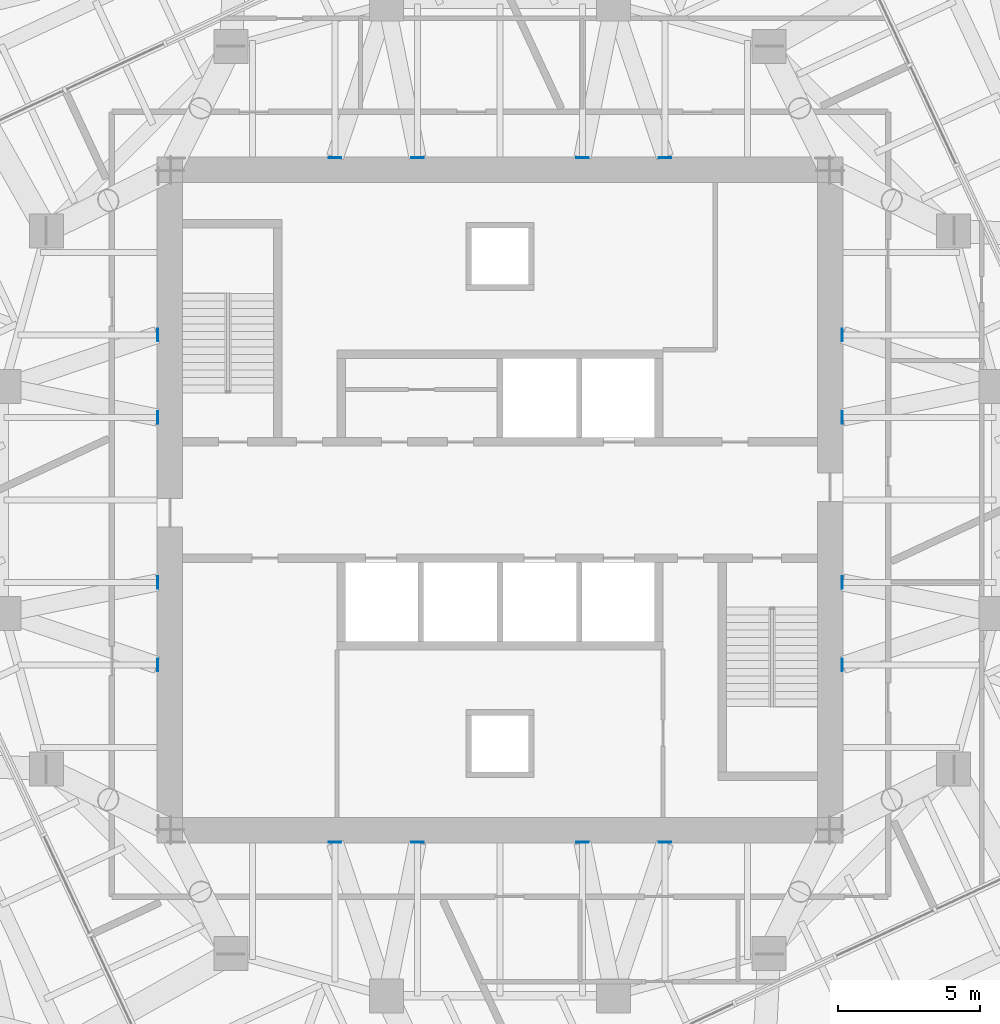
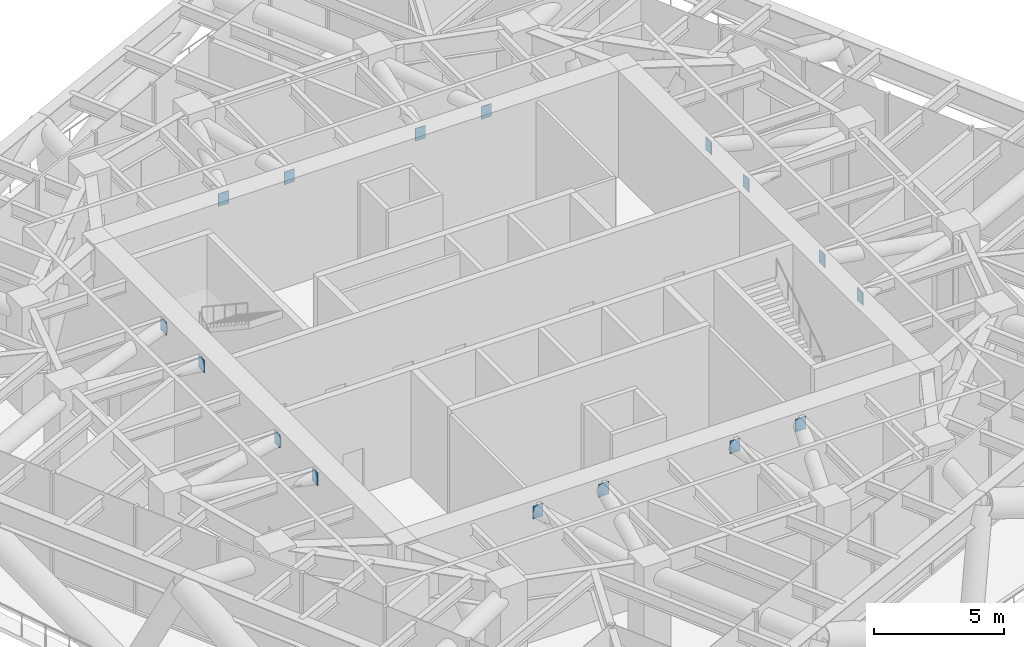
# One storey, part 12 of 16: 16 discrete accessories.
"""IFC4 building model written with IfcOpenShell, lengths in metres."""

from ifc_helpers import new_model, si_unit, direction, frame, origin, origin_2d, place, context, subcontext, project, spatial, rectangle, extrude, material, layer, layer_set, type_object, element, save


model = new_model("IFC4")

# Units and contexts
model_context = context("Model", 3, precision=1e-05, world=origin(), true_north=direction((0.0, 1.0)))
body_context = subcontext(model_context, "Body", "Model", "MODEL_VIEW")
ifc_project = project(units=[si_unit("LENGTHUNIT", "METRE"), si_unit("AREAUNIT", "SQUARE_METRE"), si_unit("VOLUMEUNIT", "CUBIC_METRE"), si_unit("PLANEANGLEUNIT", "RADIAN"), si_unit("MASSUNIT", "GRAM", prefix="KILO")], contexts=[model_context])

# Site, building, storey
site_placement = place(None, origin())
site = spatial("IfcSite", under=ifc_project, at=site_placement, CompositionType="ELEMENT")
building_placement = place(site_placement, origin())
building = spatial("IfcBuilding", under=site, at=building_placement, Name="Torsade Residences", CompositionType="ELEMENT")
storey_placement = place(building_placement, frame((0.0, 0.0, 171.0)))
storey = spatial("IfcBuildingStorey", under=building, at=storey_placement, Name="L47", CompositionType="ELEMENT", Elevation=171.0)

# Discrete accessories
ifc_material = material(Name="Steel grade 350", Category="steel")
ifc_layer = layer(ifc_material, 0.031982421875)
ifc_layer_set = layer_set([ifc_layer], Name="Steel grade 350")
discrete_accessory_type = type_object("IfcDiscreteAccessoryType", Name="CAST-IN PLATE 450x600x32", PredefinedType="ANCHORPLATE", material=ifc_layer_set)
for number, where, z_axis, x_axis, name in (
    (1, (52.083984375, 27.08740234375, 4.135986328125), (0.0, 0.0, 1.0), (1.0, 0.0, 0.0), "Cast-in plate PB1 PB-L48-IR01IE03"),
    (2, (52.083984375, 24.175048828125, 4.135986328125), (0.0, 0.0, 1.0), (1.0, 0.0, 0.0), "Cast-in plate PB1 PB-L48-IR01IE02"),
    (3, (52.083984375, 32.91259765625, 4.135986328125), (0.0, 0.0, 1.0), (1.0, 0.0, 0.0), "Cast-in plate PB1 PB-L48-IR02IE05"),
    (4, (52.083984375, 35.824951171875, 4.135986328125), (0.0, 0.0, 1.0), (1.0, 0.0, 0.0), "Cast-in plate PB1 PB-L48-IR02IE06"),
):
    element("IfcDiscreteAccessory", number, at=place(storey_placement, frame(where, z_axis=z_axis, x_axis=x_axis)), inside=storey, type_object=discrete_accessory_type, Name=name, PredefinedType="ANCHORPLATE", context=body_context, shape_type="SweptSolid", body=[
        extrude(rectangle(XDim=0.031982421875, YDim=0.449951171875, at=origin_2d()), origin(), (0.0, 0.0, 1.0), 0.60009765625),
    ])
for number, where, z_axis, x_axis, name in (
    (5, (42.91259765625, 42.083984375, 4.135986328125), (0.0, 0.0, 1.0), (1.0, 0.0, 0.0), "Cast-in plate PB1 PB-L48-IR05IN05"),
    (6, (45.824951171875, 42.083984375, 4.135986328125), (0.0, 0.0, 1.0), (1.0, 0.0, 0.0), "Cast-in plate PB1 PB-L48-IR05IN06"),
    (7, (37.08740234375, 42.083984375, 4.135986328125), (0.0, 0.0, 1.0), (1.0, 0.0, 0.0), "Cast-in plate PB1 PB-L48-IR06IN03"),
    (8, (34.175048828125, 42.083984375, 4.135986328125), (0.0, 0.0, 1.0), (1.0, 0.0, 0.0), "Cast-in plate PB1 PB-L48-IR06IN02"),
):
    element("IfcDiscreteAccessory", number, at=place(storey_placement, frame(where, z_axis=z_axis, x_axis=x_axis)), inside=storey, type_object=discrete_accessory_type, Name=name, PredefinedType="ANCHORPLATE", context=body_context, shape_type="SweptSolid", body=[
        extrude(rectangle(XDim=0.449951171875, YDim=0.031982421875, at=origin_2d()), origin(), (0.0, 0.0, 1.0), 0.60009765625),
    ])
for number, where, z_axis, x_axis, name in (
    (9, (27.916015625, 32.91259765625, 4.135986328125), (0.0, 0.0, 1.0), (1.0, 0.0, 0.0), "Cast-in plate PB1 PB-L48-IR09IW03"),
    (10, (27.916015625, 35.824951171875, 4.135986328125), (0.0, 0.0, 1.0), (1.0, 0.0, 0.0), "Cast-in plate PB1 PB-L48-IR09IW02"),
    (11, (27.916015625, 27.08740234375, 4.135986328125), (0.0, 0.0, 1.0), (1.0, 0.0, 0.0), "Cast-in plate PB1 PB-L48-IR10IW05"),
    (12, (27.916015625, 24.175048828125, 4.135986328125), (0.0, 0.0, 1.0), (1.0, 0.0, 0.0), "Cast-in plate PB1 PB-L48-IR10IW06"),
):
    element("IfcDiscreteAccessory", number, at=place(storey_placement, frame(where, z_axis=z_axis, x_axis=x_axis)), inside=storey, type_object=discrete_accessory_type, Name=name, PredefinedType="ANCHORPLATE", context=body_context, shape_type="SweptSolid", body=[
        extrude(rectangle(XDim=0.031982421875, YDim=0.449951171875, at=origin_2d()), origin(), (0.0, 0.0, 1.0), 0.60009765625),
    ])
for number, where, z_axis, x_axis, name in (
    (13, (37.08740234375, 17.916015625, 4.135986328125), (0.0, 0.0, 1.0), (1.0, 0.0, 0.0), "Cast-in plate PB1 PB-L48-IR13IS05"),
    (14, (34.175048828125, 17.916015625, 4.135986328125), (0.0, 0.0, 1.0), (1.0, 0.0, 0.0), "Cast-in plate PB1 PB-L48-IR13IS06"),
    (15, (42.91259765625, 17.916015625, 4.135986328125), (0.0, 0.0, 1.0), (1.0, 0.0, 0.0), "Cast-in plate PB1 PB-L48-IR14IS03"),
    (16, (45.824951171875, 17.916015625, 4.135986328125), (0.0, 0.0, 1.0), (1.0, 0.0, 0.0), "Cast-in plate PB1 PB-L48-IR14IS02"),
):
    element("IfcDiscreteAccessory", number, at=place(storey_placement, frame(where, z_axis=z_axis, x_axis=x_axis)), inside=storey, type_object=discrete_accessory_type, Name=name, PredefinedType="ANCHORPLATE", context=body_context, shape_type="SweptSolid", body=[
        extrude(rectangle(XDim=0.449951171875, YDim=0.031982421875, at=origin_2d()), origin(), (0.0, 0.0, 1.0), 0.60009765625),
    ])

save(model, "model.ifc")
